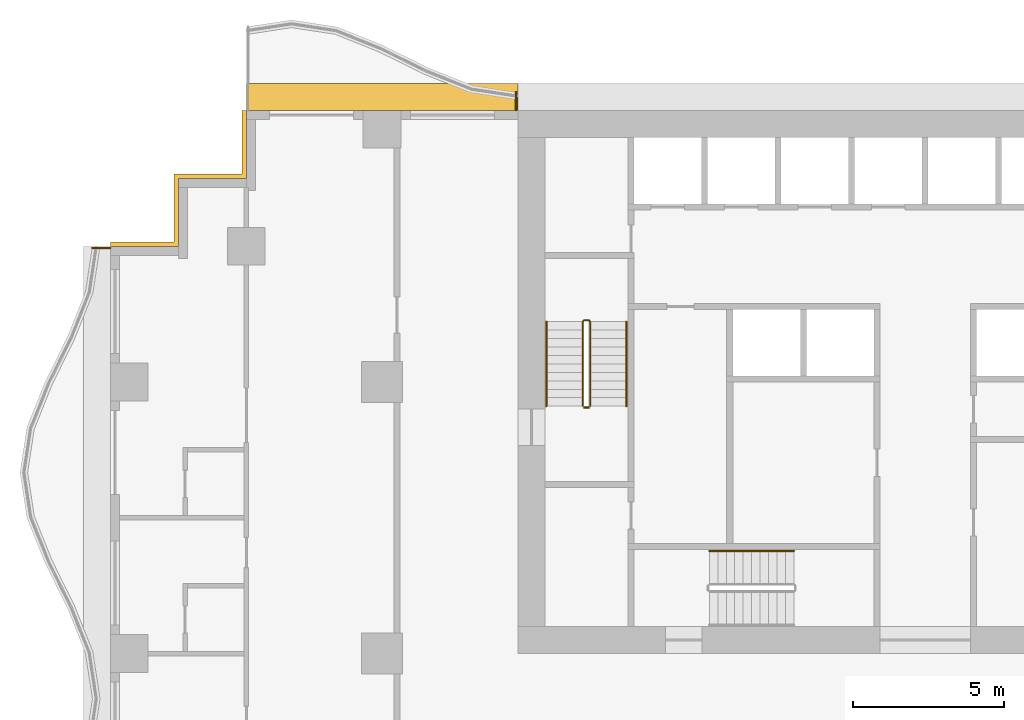
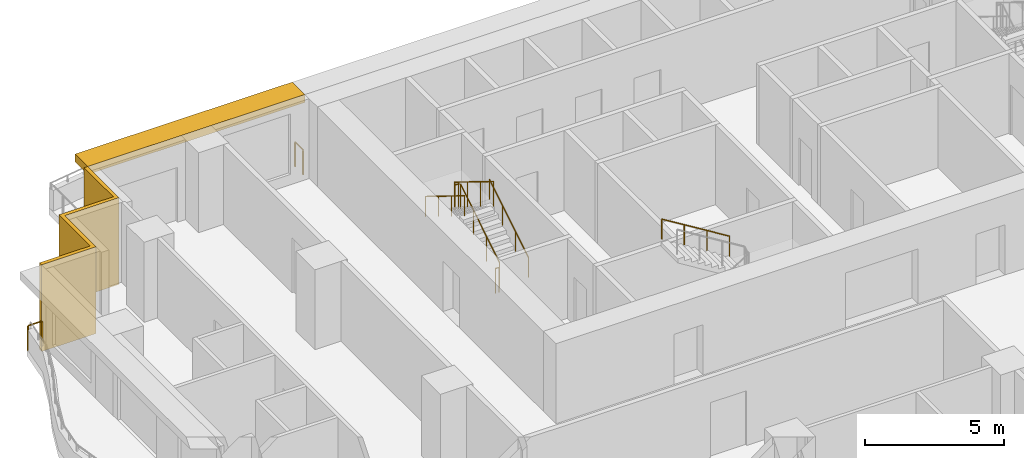
# One storey, part 11 of 13: 7 railings, 2 shading devices.
"""IFC4 building model written with IfcOpenShell, lengths in metres."""

from ifc_helpers import new_model, si_unit, direction, frame, origin, origin_2d, place, context, subcontext, project, spatial, polyline, rectangle, circle, outline, extrude, material, layer, layer_set, type_object, element, save


model = new_model("IFC4")

# Units and contexts
model_context = context("Model", 3, precision=1e-05, world=origin(), true_north=direction((0.0, 1.0)))
body_context = subcontext(model_context, "Body", "Model", "MODEL_VIEW")
ifc_project = project(units=[si_unit("LENGTHUNIT", "METRE"), si_unit("AREAUNIT", "SQUARE_METRE"), si_unit("VOLUMEUNIT", "CUBIC_METRE"), si_unit("PLANEANGLEUNIT", "RADIAN"), si_unit("MASSUNIT", "GRAM", prefix="KILO")], contexts=[model_context])

# Site, building, storey
site_placement = place(None, origin())
site = spatial("IfcSite", under=ifc_project, at=site_placement, CompositionType="ELEMENT")
building_placement = place(site_placement, origin())
building = spatial("IfcBuilding", under=site, at=building_placement, Name="Orbiselva Terraces", CompositionType="ELEMENT")
storey_placement = place(building_placement, frame((0.0, 0.0, 99.8)))
storey = spatial("IfcBuildingStorey", under=building, at=storey_placement, Name="L25", CompositionType="ELEMENT", Elevation=99.8)

# Railings
ifc_material_1 = material(Name="Stainless steel", Category="steel")
railing_type_1 = type_object("IfcRailingType", Name="CORE-GUARD-1100", PredefinedType="GUARDRAIL", material=ifc_material_1)
railing_1_placement = place(storey_placement, frame((-11.1, 12.7, 0.172727)))
element("IfcRailing", 1, at=railing_1_placement, inside=storey, type_object=railing_type_1, Name="L25 S1 stair guard 1", PredefinedType="GUARDRAIL", context=body_context, shape_type="SweptSolid", body=[
    extrude(circle(Radius=0.024, at=origin_2d()), frame((0.0, 0.0, 1.081), z_axis=(0.0, 0.851088519012, 0.52502222125), x_axis=(-1.0, 0.0, 0.0)), (0.0, 0.0, 1.0), 3.289905),
    extrude(circle(Radius=0.024, at=origin_2d()), frame((0.0, 2.8, 2.808273), z_axis=(-0.707106781187, 0.707106781187, 0.0), x_axis=(-0.707106781187, -0.707106781187, 0.0)), (0.0, 0.0, 1.0), 0.070711),
    extrude(circle(Radius=0.024, at=origin_2d()), frame((-0.05, 2.85, 2.808273), z_axis=(-1.0, 0.0, 0.0), x_axis=(0.0, -1.0, 0.0)), (0.0, 0.0, 1.0), 0.15),
    extrude(circle(Radius=0.024, at=origin_2d()), frame((-0.2, 2.85, 2.808273), z_axis=(-0.267894925557, -0.267894925557, 0.925453736133), x_axis=(0.707106781187, -0.707106781187, 0.0)), (0.0, 0.0, 1.0), 0.18664),
    extrude(circle(Radius=0.024, at=origin_2d()), frame((-0.25, 2.8, 2.981), z_axis=(0.0, -0.851088519012, 0.52502222125), x_axis=(1.0, 0.0, 0.0)), (0.0, 0.0, 1.0), 3.289905),
    extrude(circle(Radius=0.021, at=origin_2d()), origin(), (0.0, 0.0, 1.0), 1.057),
    extrude(circle(Radius=0.021, at=origin_2d()), frame((0.0, 0.933333, 0.575758)), (0.0, 0.0, 1.0), 1.057),
    extrude(circle(Radius=0.021, at=origin_2d()), frame((0.0, 1.866667, 1.151515)), (0.0, 0.0, 1.0), 1.057),
    extrude(circle(Radius=0.021, at=origin_2d()), frame((0.0, 2.8, 1.727273)), (0.0, 0.0, 1.0), 1.057),
    extrude(circle(Radius=0.021, at=origin_2d()), frame((-0.05, 2.85, 1.727273)), (0.0, 0.0, 1.0), 1.057),
    extrude(circle(Radius=0.021, at=origin_2d()), frame((-0.2, 2.85, 1.727273)), (0.0, 0.0, 1.0), 1.057),
    extrude(circle(Radius=0.021, at=origin_2d()), frame((-0.25, 2.8, 1.9)), (0.0, 0.0, 1.0), 1.057),
    extrude(circle(Radius=0.021, at=origin_2d()), frame((-0.25, 1.866667, 2.475758)), (0.0, 0.0, 1.0), 1.057),
    extrude(circle(Radius=0.021, at=origin_2d()), frame((-0.25, 0.933333, 3.051515)), (0.0, 0.0, 1.0), 1.057),
    extrude(circle(Radius=0.021, at=origin_2d()), frame((-0.25, 0.0, 3.627273)), (0.0, 0.0, 1.0), 1.057),
])
railing_2_placement = place(storey_placement, frame((-11.15, 12.65, 0.0)))
element("IfcRailing", 2, at=railing_2_placement, inside=storey, type_object=railing_type_1, Name="L25 S1 stair guard 2", PredefinedType="GUARDRAIL", context=body_context, shape_type="SweptSolid", body=[
    extrude(circle(Radius=0.024, at=origin_2d()), frame((0.0, 0.0, 1.081), z_axis=(-1.0, 0.0, 0.0), x_axis=(0.0, -1.0, 0.0)), (0.0, 0.0, 1.0), 0.15),
    extrude(circle(Radius=0.021, at=origin_2d()), origin(), (0.0, 0.0, 1.0), 1.057),
    extrude(circle(Radius=0.021, at=origin_2d()), frame((-0.15, 0.0, 0.0)), (0.0, 0.0, 1.0), 1.057),
])
railing_type_2 = type_object("IfcRailingType", Name="CORE-HANDRAIL-900", PredefinedType="HANDRAIL", material=ifc_material_1)
railing_3_placement = place(storey_placement, frame((-9.9, 12.7, 0.172727)))
element("IfcRailing", 3, at=railing_3_placement, inside=storey, type_object=railing_type_2, Name="L25 S1 stair handrail 1", PredefinedType="HANDRAIL", context=body_context, shape_type="SweptSolid", body=[
    extrude(circle(Radius=0.024, at=origin_2d()), frame((0.0, 0.0, 0.876), z_axis=(0.0, 0.851088519012, 0.52502222125), x_axis=(-1.0, 0.0, 0.0)), (0.0, 0.0, 1.0), 3.289905),
    extrude(circle(Radius=0.021, at=origin_2d()), origin(), (0.0, 0.0, 1.0), 0.852),
    extrude(circle(Radius=0.021, at=origin_2d()), frame((0.0, 0.933333, 0.575758)), (0.0, 0.0, 1.0), 0.852),
    extrude(circle(Radius=0.021, at=origin_2d()), frame((0.0, 1.866667, 1.151515)), (0.0, 0.0, 1.0), 0.852),
    extrude(circle(Radius=0.021, at=origin_2d()), frame((0.0, 2.8, 1.727273)), (0.0, 0.0, 1.0), 0.852),
])
railing_4_placement = place(storey_placement, frame((-12.55, 15.5, 2.072727)))
element("IfcRailing", 4, at=railing_4_placement, inside=storey, type_object=railing_type_2, Name="L25 S1 stair handrail 2", PredefinedType="HANDRAIL", context=body_context, shape_type="SweptSolid", body=[
    extrude(circle(Radius=0.024, at=origin_2d()), frame((0.0, 0.0, 0.876), z_axis=(0.0, -0.851088519012, 0.52502222125), x_axis=(1.0, 0.0, 0.0)), (0.0, 0.0, 1.0), 3.289905),
    extrude(circle(Radius=0.021, at=origin_2d()), origin(), (0.0, 0.0, 1.0), 0.852),
    extrude(circle(Radius=0.021, at=origin_2d()), frame((0.0, -0.933333, 0.575758)), (0.0, 0.0, 1.0), 0.852),
    extrude(circle(Radius=0.021, at=origin_2d()), frame((0.0, -1.866667, 1.151515)), (0.0, 0.0, 1.0), 0.852),
    extrude(circle(Radius=0.021, at=origin_2d()), frame((0.0, -2.8, 1.727273)), (0.0, 0.0, 1.0), 0.852),
])
railing_5_placement = place(storey_placement, frame((-4.35, 7.9, 2.072727)))
element("IfcRailing", 5, at=railing_5_placement, inside=storey, type_object=railing_type_2, Name="L25 S3 stair handrail 2", PredefinedType="HANDRAIL", context=body_context, shape_type="SweptSolid", body=[
    extrude(circle(Radius=0.024, at=origin_2d()), frame((0.0, 0.0, 0.876), z_axis=(-0.851088519012, 0.0, 0.52502222125), x_axis=(0.0, -1.0, 0.0)), (0.0, 0.0, 1.0), 3.289905),
    extrude(circle(Radius=0.021, at=origin_2d()), origin(), (0.0, 0.0, 1.0), 0.852),
    extrude(circle(Radius=0.021, at=origin_2d()), frame((-0.933333, 0.0, 0.575758)), (0.0, 0.0, 1.0), 0.852),
    extrude(circle(Radius=0.021, at=origin_2d()), frame((-1.866667, 0.0, 1.151515)), (0.0, 0.0, 1.0), 0.852),
    extrude(circle(Radius=0.021, at=origin_2d()), frame((-2.8, 0.0, 1.727273)), (0.0, 0.0, 1.0), 0.852),
])
ifc_material_2 = material(Name="Stainless steel rail and posts", Category="steel")
railing_type_3 = type_object("IfcRailingType", Name="ENV-GUARD-1105", PredefinedType="BALUSTRADE", material=ifc_material_2)
railing_6_placement = place(storey_placement, frame((-13.56, 23.100379, 0.0)))
element("IfcRailing", 6, at=railing_6_placement, inside=storey, type_object=railing_type_3, Name="Balcony end guard L25 NW", PredefinedType="BALUSTRADE", context=body_context, shape_type="SweptSolid", body=[
    extrude(outline(polyline([(0.028868, 0.0), (0.014434, 0.025), (-0.014434, 0.025), (-0.028868, 0.0), (-0.014434, -0.025), (0.014434, -0.025), (0.028868, 0.0)])), frame((0.0, 0.0, 1.08), z_axis=(0.0, -1.0, 0.0), x_axis=(1.0, 0.0, 0.0)), (0.0, 0.0, 1.0), 0.575379),
    extrude(rectangle(XDim=0.05, YDim=0.05, at=origin_2d()), origin(), (0.0, 0.0, 1.0), 1.055),
    extrude(rectangle(XDim=0.05, YDim=0.05, at=origin_2d()), frame((0.0, -0.575379, 0.0)), (0.0, 0.0, 1.0), 1.055),
])
railing_7_placement = place(storey_placement, frame((-27.600379, 17.94, 0.0)))
element("IfcRailing", 7, at=railing_7_placement, inside=storey, type_object=railing_type_3, Name="Balcony end guard L25 W", PredefinedType="BALUSTRADE", context=body_context, shape_type="SweptSolid", body=[
    extrude(outline(polyline([(0.028868, 0.0), (0.014434, 0.025), (-0.014434, 0.025), (-0.028868, 0.0), (-0.014434, -0.025), (0.014434, -0.025), (0.028868, 0.0)])), frame((0.0, 0.0, 1.08), z_axis=(1.0, 0.0, 0.0), x_axis=(0.0, 1.0, 0.0)), (0.0, 0.0, 1.0), 0.575379),
    extrude(rectangle(XDim=0.05, YDim=0.05, at=origin_2d()), origin(), (0.0, 0.0, 1.0), 1.055),
    extrude(rectangle(XDim=0.05, YDim=0.05, at=origin_2d()), frame((0.575379, 0.0, 0.0)), (0.0, 0.0, 1.0), 1.055),
])

# Shading devices
ifc_material_3 = material(Name="Terracotta louvre screen", Category="masonry")
ifc_layer_1 = layer(ifc_material_3, 0.15)
ifc_layer_set_1 = layer_set([ifc_layer_1], Name="Terracotta louvre screen")
shading_device_type_1 = type_object("IfcShadingDeviceType", Name="ENV-SCREEN-150", PredefinedType="USERDEFINED", material=ifc_layer_set_1)
shading_device_1_placement = place(storey_placement, frame((0.0, 0.0, -0.3)))
element("IfcShadingDevice", 8, at=shading_device_1_placement, inside=storey, type_object=shading_device_type_1, Name="Louvre screen L25 NW", ObjectType="SCREEN", PredefinedType="USERDEFINED", context=body_context, shape_type="SweptSolid", body=[
    extrude(outline(polyline([(-22.65, 22.5), (-22.65, 20.4), (-24.9, 20.4), (-24.9, 18.15), (-27.0, 18.15), (-27.0, 18.0), (-24.75, 18.0), (-24.75, 20.25), (-22.5, 20.25), (-22.5, 22.5), (-22.65, 22.5)])), origin(), (0.0, 0.0, 1.0), 3.8),
])
ifc_material_4 = material(Name="Terracotta baguette sunshade", Category="masonry")
ifc_layer_2 = layer(ifc_material_4, 0.35)
ifc_layer_set_2 = layer_set([ifc_layer_2], Name="Terracotta baguette sunshade")
shading_device_type_2 = type_object("IfcShadingDeviceType", Name="ENV-SUNSHADE-900x350", PredefinedType="USERDEFINED", material=ifc_layer_set_2)
shading_device_2_placement = place(storey_placement, frame((0.0, 0.0, 3.15)))
element("IfcShadingDevice", 9, at=shading_device_2_placement, inside=storey, type_object=shading_device_type_2, Name="Sunshade band L25 NW", ObjectType="SUNSHADE", PredefinedType="USERDEFINED", context=body_context, shape_type="SweptSolid", body=[
    extrude(outline(polyline([(-13.5, 23.4), (-22.5, 23.4), (-22.5, 22.5), (-13.5, 22.5), (-13.5, 23.4)])), origin(), (0.0, 0.0, 1.0), 0.35),
])

save(model, "model.ifc")
